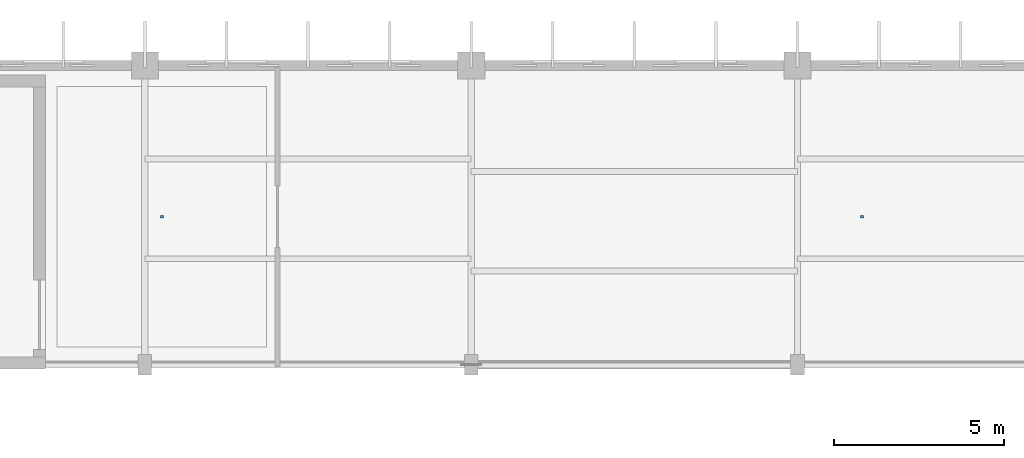
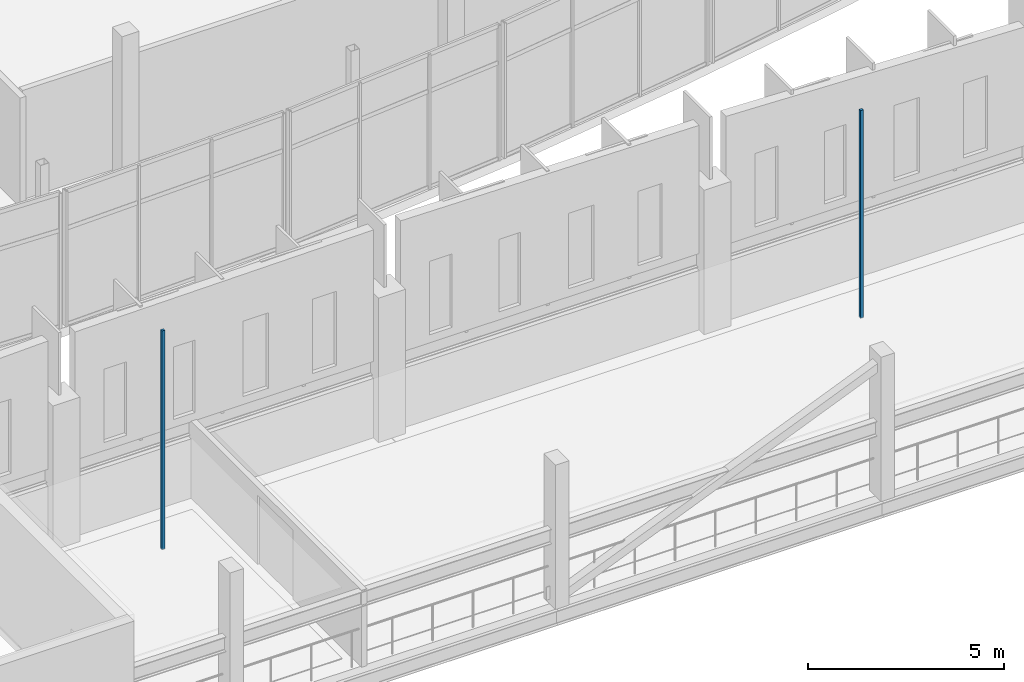
# One storey, part 105 of 114: 2 discrete accessories.
"""IFC4 building model written with IfcOpenShell, lengths in metres."""

from ifc_helpers import new_model, si_unit, direction, frame, origin, origin_2d, place, context, subcontext, project, spatial, rectangle, extrude, material, type_object, element, save


model = new_model("IFC4")

# Units and contexts
model_context = context("Model", 3, precision=1e-05, world=origin(), true_north=direction((0.0, 1.0)))
body_context = subcontext(model_context, "Body", "Model", "MODEL_VIEW")
ifc_project = project(units=[si_unit("LENGTHUNIT", "METRE"), si_unit("AREAUNIT", "SQUARE_METRE"), si_unit("VOLUMEUNIT", "CUBIC_METRE"), si_unit("PLANEANGLEUNIT", "RADIAN"), si_unit("MASSUNIT", "GRAM", prefix="KILO")], contexts=[model_context])

# Site, building, storey
site_placement = place(None, origin())
site = spatial("IfcSite", under=ifc_project, at=site_placement, CompositionType="ELEMENT")
building_placement = place(site_placement, origin())
building = spatial("IfcBuilding", under=site, at=building_placement, Name="Chalmorin Arch Market", CompositionType="ELEMENT")
storey_placement = place(building_placement, frame((0.0, 0.0, 9.60009765625)))
storey = spatial("IfcBuildingStorey", under=building, at=storey_placement, Name="L02", CompositionType="ELEMENT", Elevation=9.60009765625)

# Discrete accessories
ifc_material = material(Name="Galvanized Cold-Formed Steel", Category="steel")
discrete_accessory_type = type_object("IfcDiscreteAccessoryType", Name="CeilingSuspensionBracket-80x80", PredefinedType="BRACKET", material=ifc_material)
discrete_accessory_1_placement = place(storey_placement, frame((77.300048828125, 54.35009765625, 2.20263671875), z_axis=(0.0, 0.0, 1.0), x_axis=(1.0, 0.0, 0.0)))
element("IfcDiscreteAccessory", 1, at=discrete_accessory_1_placement, inside=storey, type_object=discrete_accessory_type, Name="CSB-204", PredefinedType="BRACKET", context=body_context, shape_type="SweptSolid", body=[
    extrude(rectangle(XDim=0.080078125, YDim=0.080078125, at=origin_2d()), origin(), (0.0, 0.0, 1.0), 6.815185546875),
])
discrete_accessory_2_placement = place(storey_placement, frame((97.89990234375, 54.35009765625, 2.203125), z_axis=(0.0, 0.0, 1.0), x_axis=(1.0, 0.0, 0.0)))
element("IfcDiscreteAccessory", 2, at=discrete_accessory_2_placement, inside=storey, type_object=discrete_accessory_type, Name="CSB-206", PredefinedType="BRACKET", context=body_context, shape_type="SweptSolid", body=[
    extrude(rectangle(XDim=0.080078125, YDim=0.080078125, at=origin_2d()), origin(), (0.0, 0.0, 1.0), 6.470947265625),
])

save(model, "model.ifc")
